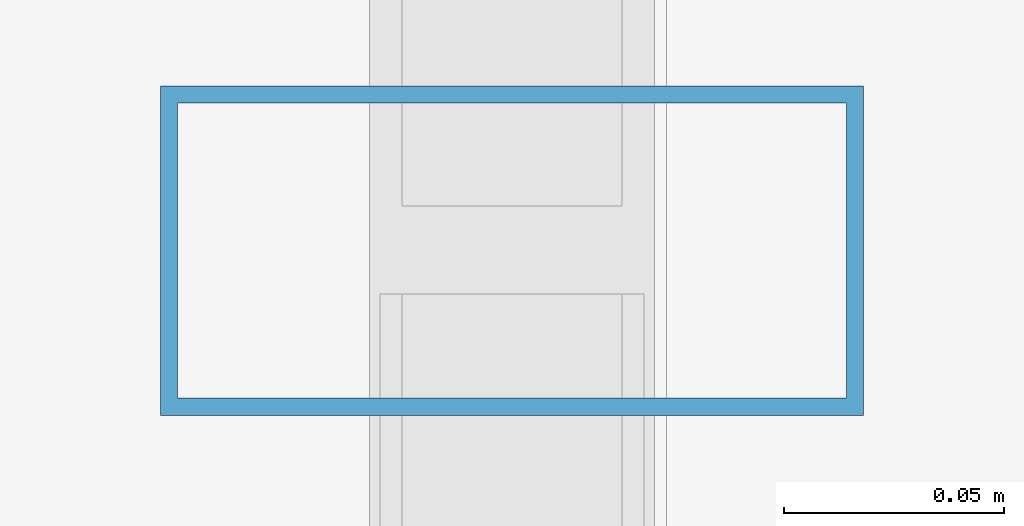
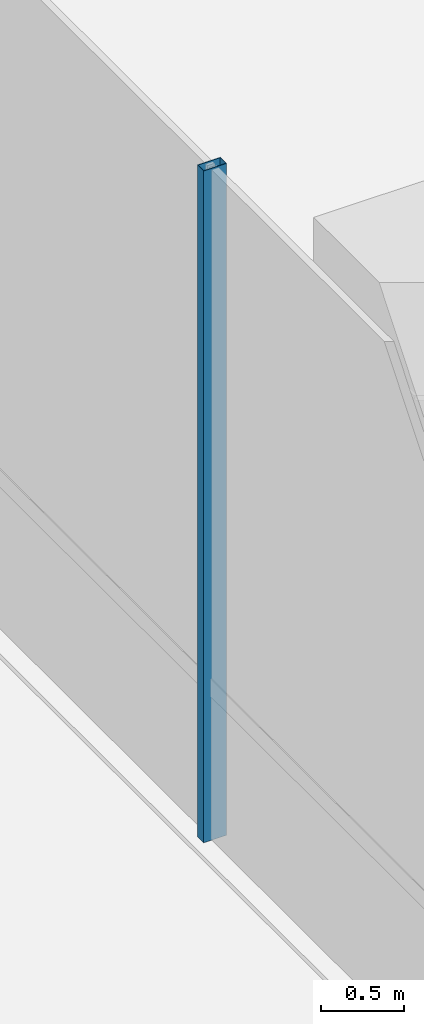
# One storey, part 4 of 27: 1 member, 1 element without a shape of its own.
"""IFC4 building model written with IfcOpenShell, lengths in metres."""

from ifc_helpers import new_model, si_unit, direction, frame, origin, origin_2d, place, context, subcontext, project, spatial, hollow_rectangle, extrude, source, transform, mapped, material, material_profile, profile_set, type_object, element, aggregate, save


model = new_model("IFC4")

# Units and contexts
model_context = context("Model", 3, precision=1e-05, world=origin(), true_north=direction((0.0, 1.0)))
body_context = subcontext(model_context, "Body", "Model", "MODEL_VIEW")
ifc_project = project(units=[si_unit("LENGTHUNIT", "METRE"), si_unit("AREAUNIT", "SQUARE_METRE"), si_unit("VOLUMEUNIT", "CUBIC_METRE"), si_unit("PLANEANGLEUNIT", "RADIAN"), si_unit("MASSUNIT", "GRAM", prefix="KILO")], contexts=[model_context])

# Site, building, storey
site_placement = place(None, origin())
site = spatial("IfcSite", under=ifc_project, at=site_placement, CompositionType="ELEMENT")
building_placement = place(site_placement, origin())
building = spatial("IfcBuilding", under=site, at=building_placement, Name="Valdorenza Pilgrim Sanctuary Tower", CompositionType="ELEMENT")
storey_placement = place(building_placement, origin())
storey = spatial("IfcBuildingStorey", under=building, at=storey_placement, Name="L00", CompositionType="ELEMENT", Elevation=0.0)

# Curtain wall, member
ifc_material_1 = material(Name="Curtain-wall IGU glazing", Category="glass")
curtain_wall_type = type_object("IfcCurtainWallType", Name="CW-SYS-01", PredefinedType="NOTDEFINED", material=ifc_material_1)
curtain_wall_placement = place(storey_placement, origin())
curtain_wall = element("IfcCurtainWall", 1, at=curtain_wall_placement, inside=storey, type_object=curtain_wall_type, Name="L00 Curtain Wall CW-POD-L00-WW", PredefinedType="NOTDEFINED")
ifc_material_2 = material(Name="Anodised aluminium AW-6060", Category="aluminium")
ifc_material_profile = material_profile(ifc_material_2, hollow_rectangle(XDim=0.074951171875, YDim=0.159912109375, WallThickness=0.00390625, at=origin_2d()), Name="ALU-M 160x75x4")
ifc_profile_set = profile_set([ifc_material_profile], Name="Anodised aluminium AW-6060")
member_type = type_object("IfcMemberType", Name="CW-MUL-01", PredefinedType="MULLION", material=ifc_profile_set)
shared_shape = source(origin(), body_context, "Body", "SweptSolid", [
    extrude(hollow_rectangle(XDim=0.074951171875, YDim=0.159912109375, WallThickness=0.00390625, at=origin_2d()), origin(), (0.0, 0.0, 1.0), 4.919921875),
])
member_placement = place(storey_placement, frame((-33.85009765625, -0.666748046875, 0.0), z_axis=(0.0, 0.0, 1.0), x_axis=(0.0, 1.0, 0.0)))
member = element("IfcMember", 2, at=member_placement, type_object=member_type, Name="CW-POD-L00-WW Mullion 2", PredefinedType="MULLION", context=body_context, shape_type="MappedRepresentation", body=[
    mapped(shared_shape, transform((0.0, 0.0, 0.0), x_axis=(1.0, 0.0, 0.0), y_axis=(0.0, 1.0, 0.0), z_axis=(0.0, 0.0, 1.0), scale=1.0)),
])
aggregate(curtain_wall, [member])

save(model, "model.ifc")
